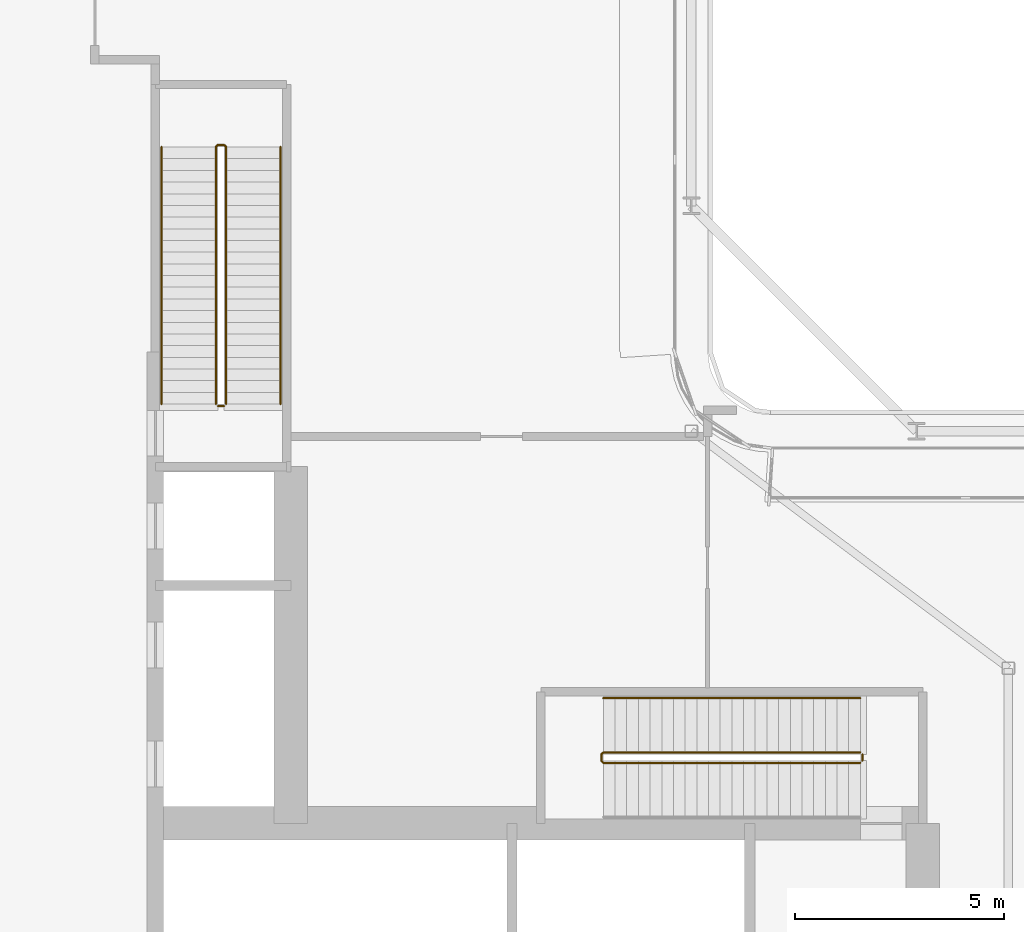
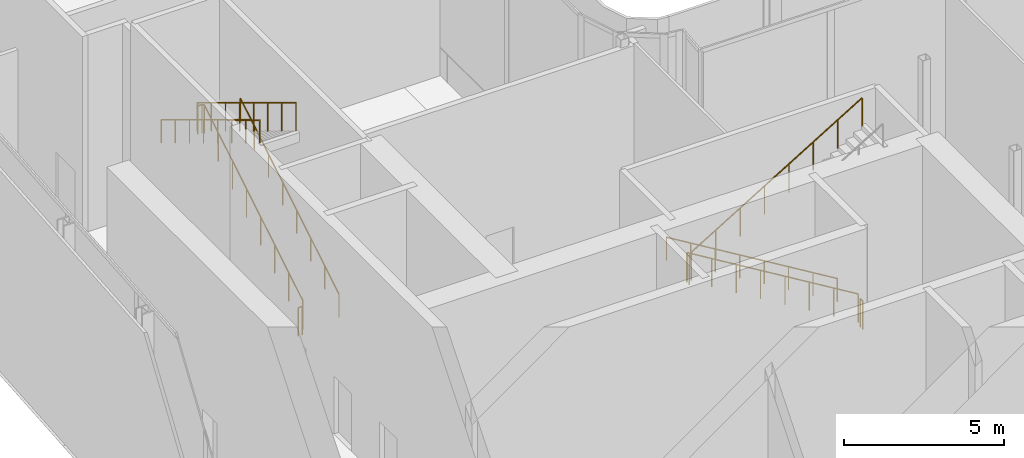
# One storey, part 32 of 37: 7 railings.
"""IFC4 building model written with IfcOpenShell, lengths in metres."""

from ifc_helpers import new_model, si_unit, direction, frame, origin, origin_2d, place, context, subcontext, project, spatial, circle, extrude, material, type_object, element, save


model = new_model("IFC4")

# Units and contexts
model_context = context("Model", 3, precision=1e-05, world=origin(), true_north=direction((0.0, 1.0)))
body_context = subcontext(model_context, "Body", "Model", "MODEL_VIEW")
ifc_project = project(units=[si_unit("LENGTHUNIT", "METRE"), si_unit("AREAUNIT", "SQUARE_METRE"), si_unit("VOLUMEUNIT", "CUBIC_METRE"), si_unit("PLANEANGLEUNIT", "RADIAN"), si_unit("MASSUNIT", "GRAM", prefix="KILO")], contexts=[model_context])

# Site, building, storey
site_placement = place(None, origin())
site = spatial("IfcSite", under=ifc_project, at=site_placement, CompositionType="ELEMENT")
building_placement = place(site_placement, origin())
building = spatial("IfcBuilding", under=site, at=building_placement, Name="Kheshtan School and Residences Tower", CompositionType="ELEMENT")
storey_placement = place(building_placement, frame((0.0, 0.0, 144.800048828125)))
storey = spatial("IfcBuildingStorey", under=building, at=storey_placement, Name="L34", CompositionType="ELEMENT", Elevation=144.800048828125)

# Railings
ifc_material_1 = material(Name="Stainless steel balustrade", Category="steel")
railing_type_1 = type_object("IfcRailingType", Name="Stair guard 1100", PredefinedType="GUARDRAIL", material=ifc_material_1)
railing_1_placement = place(storey_placement, frame((51.64990234375, 37.89990234375, 0.16943359375)))
element("IfcRailing", 1, at=railing_1_placement, inside=storey, type_object=railing_type_1, Name="L34 ST1 stair guard 1", PredefinedType="GUARDRAIL", context=body_context, shape_type="SweptSolid", body=[
    extrude(circle(Radius=0.02392578125, at=origin_2d()), frame((0.0, 0.0, 1.076171875), z_axis=(-0.855370820849, 0.0, 0.518016176234), x_axis=(0.0, -1.0, 0.0)), (0.0, 0.0, 1.0), 7.201416015625),
    extrude(circle(Radius=0.02392578125, at=origin_2d()), frame((-6.159912109375, 0.0, 4.806640625), z_axis=(-0.708833529934, -0.705375805398, 0.0), x_axis=(0.705375805398, -0.708833529934, 0.0)), (0.0, 0.0, 1.0), 0.070556640625),
    extrude(circle(Radius=0.02392578125, at=origin_2d()), frame((-6.2099609375, -0.0498046875, 4.806640625), z_axis=(0.0, -1.0, 0.0), x_axis=(1.0, 0.0, 0.0)), (0.0, 0.0, 1.0), 0.150146484375),
    extrude(circle(Radius=0.02392578125, at=origin_2d()), frame((-6.2099609375, -0.199951171875, 4.806640625), z_axis=(0.272228512635, -0.272228512635, 0.92292105503), x_axis=(0.707106781187, 0.707106781187, 0.0)), (0.0, 0.0, 1.0), 0.183837890625),
    extrude(circle(Radius=0.02392578125, at=origin_2d()), frame((-6.159912109375, -0.25, 4.97607421875), z_axis=(0.855370820849, 0.0, 0.518016176234), x_axis=(0.0, 1.0, 0.0)), (0.0, 0.0, 1.0), 7.201416015625),
    extrude(circle(Radius=0.02099609375, at=origin_2d()), origin(), (0.0, 0.0, 1.0), 1.052001953125),
    extrude(circle(Radius=0.02099609375, at=origin_2d()), frame((-0.8798828125, 0.0, 0.532958984375)), (0.0, 0.0, 1.0), 1.052001953125),
    extrude(circle(Radius=0.02099609375, at=origin_2d()), frame((-1.760009765625, 0.0, 1.06591796875)), (0.0, 0.0, 1.0), 1.052001953125),
    extrude(circle(Radius=0.02099609375, at=origin_2d()), frame((-2.639892578125, 0.0, 1.598876953125)), (0.0, 0.0, 1.0), 1.052001953125),
    extrude(circle(Radius=0.02099609375, at=origin_2d()), frame((-3.52001953125, 0.0, 2.131591796875)), (0.0, 0.0, 1.0), 1.052001953125),
    extrude(circle(Radius=0.02099609375, at=origin_2d()), frame((-4.39990234375, 0.0, 2.66455078125)), (0.0, 0.0, 1.0), 1.052001953125),
    extrude(circle(Radius=0.02099609375, at=origin_2d()), frame((-5.280029296875, 0.0, 3.197509765625)), (0.0, 0.0, 1.0), 1.052001953125),
    extrude(circle(Radius=0.02099609375, at=origin_2d()), frame((-6.159912109375, 0.0, 3.73046875)), (0.0, 0.0, 1.0), 1.052001953125),
    extrude(circle(Radius=0.02099609375, at=origin_2d()), frame((-6.2099609375, -0.0498046875, 3.73046875)), (0.0, 0.0, 1.0), 1.052001953125),
    extrude(circle(Radius=0.02099609375, at=origin_2d()), frame((-6.2099609375, -0.199951171875, 3.73046875)), (0.0, 0.0, 1.0), 1.052001953125),
    extrude(circle(Radius=0.02099609375, at=origin_2d()), frame((-6.159912109375, -0.25, 3.900146484375)), (0.0, 0.0, 1.0), 1.052001953125),
    extrude(circle(Radius=0.02099609375, at=origin_2d()), frame((-5.280029296875, -0.25, 4.43310546875)), (0.0, 0.0, 1.0), 1.052001953125),
    extrude(circle(Radius=0.02099609375, at=origin_2d()), frame((-4.39990234375, -0.25, 4.966064453125)), (0.0, 0.0, 1.0), 1.052001953125),
    extrude(circle(Radius=0.02099609375, at=origin_2d()), frame((-3.52001953125, -0.25, 5.4990234375)), (0.0, 0.0, 1.0), 1.052001953125),
    extrude(circle(Radius=0.02099609375, at=origin_2d()), frame((-2.639892578125, -0.25, 6.03173828125)), (0.0, 0.0, 1.0), 1.052001953125),
    extrude(circle(Radius=0.02099609375, at=origin_2d()), frame((-1.760009765625, -0.25, 6.564697265625)), (0.0, 0.0, 1.0), 1.052001953125),
    extrude(circle(Radius=0.02099609375, at=origin_2d()), frame((-0.8798828125, -0.25, 7.09765625)), (0.0, 0.0, 1.0), 1.052001953125),
    extrude(circle(Radius=0.02099609375, at=origin_2d()), frame((0.0, -0.25, 7.630615234375)), (0.0, 0.0, 1.0), 1.052001953125),
])
railing_2_placement = place(storey_placement, frame((51.699951171875, 37.85009765625, 0.0)))
element("IfcRailing", 2, at=railing_2_placement, inside=storey, type_object=railing_type_1, Name="L34 ST1 stair guard 2", PredefinedType="GUARDRAIL", context=body_context, shape_type="SweptSolid", body=[
    extrude(circle(Radius=0.02392578125, at=origin_2d()), frame((0.0, 0.0, 1.076171875), z_axis=(0.0, -1.0, 0.0), x_axis=(1.0, 0.0, 0.0)), (0.0, 0.0, 1.0), 0.150146484375),
    extrude(circle(Radius=0.02099609375, at=origin_2d()), origin(), (0.0, 0.0, 1.0), 1.052001953125),
    extrude(circle(Radius=0.02099609375, at=origin_2d()), frame((0.0, -0.150146484375, 0.0)), (0.0, 0.0, 1.0), 1.052001953125),
])
railing_3_placement = place(storey_placement, frame((36.449951171875, 46.25, 0.16943359375)))
element("IfcRailing", 3, at=railing_3_placement, inside=storey, type_object=railing_type_1, Name="L34 ST2 stair guard 1", PredefinedType="GUARDRAIL", context=body_context, shape_type="SweptSolid", body=[
    extrude(circle(Radius=0.02392578125, at=origin_2d()), frame((0.0, 0.0, 1.076171875), z_axis=(0.0, 0.855370820849, 0.518016176234), x_axis=(-1.0, 0.0, 0.0)), (0.0, 0.0, 1.0), 7.201416015625),
    extrude(circle(Radius=0.02392578125, at=origin_2d()), frame((0.0, 6.159912109375, 4.806640625), z_axis=(-0.707106781187, 0.707106781187, 0.0), x_axis=(-0.707106781187, -0.707106781187, 0.0)), (0.0, 0.0, 1.0), 0.07080078125),
    extrude(circle(Radius=0.02392578125, at=origin_2d()), frame((-0.050048828125, 6.2099609375, 4.806640625), z_axis=(-1.0, 0.0, 0.0), x_axis=(0.0, -1.0, 0.0)), (0.0, 0.0, 1.0), 0.14990234375),
    extrude(circle(Radius=0.02392578125, at=origin_2d()), frame((-0.199951171875, 6.2099609375, 4.806640625), z_axis=(-0.272228512635, -0.272228512635, 0.92292105503), x_axis=(0.707106781187, -0.707106781187, 0.0)), (0.0, 0.0, 1.0), 0.183837890625),
    extrude(circle(Radius=0.02392578125, at=origin_2d()), frame((-0.25, 6.159912109375, 4.97607421875), z_axis=(0.0, -0.855370820849, 0.518016176234), x_axis=(1.0, 0.0, 0.0)), (0.0, 0.0, 1.0), 7.201416015625),
    extrude(circle(Radius=0.02099609375, at=origin_2d()), origin(), (0.0, 0.0, 1.0), 1.052001953125),
    extrude(circle(Radius=0.02099609375, at=origin_2d()), frame((0.0, 0.8798828125, 0.532958984375)), (0.0, 0.0, 1.0), 1.052001953125),
    extrude(circle(Radius=0.02099609375, at=origin_2d()), frame((0.0, 1.760009765625, 1.06591796875)), (0.0, 0.0, 1.0), 1.052001953125),
    extrude(circle(Radius=0.02099609375, at=origin_2d()), frame((0.0, 2.639892578125, 1.598876953125)), (0.0, 0.0, 1.0), 1.052001953125),
    extrude(circle(Radius=0.02099609375, at=origin_2d()), frame((0.0, 3.52001953125, 2.131591796875)), (0.0, 0.0, 1.0), 1.052001953125),
    extrude(circle(Radius=0.02099609375, at=origin_2d()), frame((0.0, 4.39990234375, 2.66455078125)), (0.0, 0.0, 1.0), 1.052001953125),
    extrude(circle(Radius=0.02099609375, at=origin_2d()), frame((0.0, 5.280029296875, 3.197509765625)), (0.0, 0.0, 1.0), 1.052001953125),
    extrude(circle(Radius=0.02099609375, at=origin_2d()), frame((0.0, 6.159912109375, 3.73046875)), (0.0, 0.0, 1.0), 1.052001953125),
    extrude(circle(Radius=0.02099609375, at=origin_2d()), frame((-0.050048828125, 6.2099609375, 3.73046875)), (0.0, 0.0, 1.0), 1.052001953125),
    extrude(circle(Radius=0.02099609375, at=origin_2d()), frame((-0.199951171875, 6.2099609375, 3.73046875)), (0.0, 0.0, 1.0), 1.052001953125),
    extrude(circle(Radius=0.02099609375, at=origin_2d()), frame((-0.25, 6.159912109375, 3.900146484375)), (0.0, 0.0, 1.0), 1.052001953125),
    extrude(circle(Radius=0.02099609375, at=origin_2d()), frame((-0.25, 5.280029296875, 4.43310546875)), (0.0, 0.0, 1.0), 1.052001953125),
    extrude(circle(Radius=0.02099609375, at=origin_2d()), frame((-0.25, 4.39990234375, 4.966064453125)), (0.0, 0.0, 1.0), 1.052001953125),
    extrude(circle(Radius=0.02099609375, at=origin_2d()), frame((-0.25, 3.52001953125, 5.4990234375)), (0.0, 0.0, 1.0), 1.052001953125),
    extrude(circle(Radius=0.02099609375, at=origin_2d()), frame((-0.25, 2.639892578125, 6.03173828125)), (0.0, 0.0, 1.0), 1.052001953125),
    extrude(circle(Radius=0.02099609375, at=origin_2d()), frame((-0.25, 1.760009765625, 6.564697265625)), (0.0, 0.0, 1.0), 1.052001953125),
    extrude(circle(Radius=0.02099609375, at=origin_2d()), frame((-0.25, 0.8798828125, 7.09765625)), (0.0, 0.0, 1.0), 1.052001953125),
    extrude(circle(Radius=0.02099609375, at=origin_2d()), frame((-0.25, 0.0, 7.630615234375)), (0.0, 0.0, 1.0), 1.052001953125),
])
railing_4_placement = place(storey_placement, frame((36.39990234375, 46.199951171875, 0.0)))
element("IfcRailing", 4, at=railing_4_placement, inside=storey, type_object=railing_type_1, Name="L34 ST2 stair guard 2", PredefinedType="GUARDRAIL", context=body_context, shape_type="SweptSolid", body=[
    extrude(circle(Radius=0.02392578125, at=origin_2d()), frame((0.0, 0.0, 1.076171875), z_axis=(-1.0, 0.0, 0.0), x_axis=(0.0, -1.0, 0.0)), (0.0, 0.0, 1.0), 0.14990234375),
    extrude(circle(Radius=0.02099609375, at=origin_2d()), origin(), (0.0, 0.0, 1.0), 1.052001953125),
    extrude(circle(Radius=0.02099609375, at=origin_2d()), frame((-0.14990234375, 0.0, 0.0)), (0.0, 0.0, 1.0), 1.052001953125),
])
ifc_material_2 = material(Name="Stainless steel handrail", Category="steel")
railing_type_2 = type_object("IfcRailingType", Name="Stair handrail 900", PredefinedType="HANDRAIL", material=ifc_material_2)
railing_5_placement = place(storey_placement, frame((51.64990234375, 39.199951171875, 0.16943359375)))
element("IfcRailing", 5, at=railing_5_placement, inside=storey, type_object=railing_type_2, Name="L34 ST1 stair handrail 1", PredefinedType="HANDRAIL", context=body_context, shape_type="SweptSolid", body=[
    extrude(circle(Radius=0.02392578125, at=origin_2d()), frame((0.0, 0.0, 0.8759765625), z_axis=(-0.855370820849, 0.0, 0.518016176234), x_axis=(0.0, -1.0, 0.0)), (0.0, 0.0, 1.0), 7.201416015625),
    extrude(circle(Radius=0.02099609375, at=origin_2d()), origin(), (0.0, 0.0, 1.0), 0.851806640625),
    extrude(circle(Radius=0.02099609375, at=origin_2d()), frame((-0.8798828125, 0.0, 0.532958984375)), (0.0, 0.0, 1.0), 0.851806640625),
    extrude(circle(Radius=0.02099609375, at=origin_2d()), frame((-1.760009765625, 0.0, 1.06591796875)), (0.0, 0.0, 1.0), 0.851806640625),
    extrude(circle(Radius=0.02099609375, at=origin_2d()), frame((-2.639892578125, 0.0, 1.598876953125)), (0.0, 0.0, 1.0), 0.851806640625),
    extrude(circle(Radius=0.02099609375, at=origin_2d()), frame((-3.52001953125, 0.0, 2.131591796875)), (0.0, 0.0, 1.0), 0.851806640625),
    extrude(circle(Radius=0.02099609375, at=origin_2d()), frame((-4.39990234375, 0.0, 2.66455078125)), (0.0, 0.0, 1.0), 0.851806640625),
    extrude(circle(Radius=0.02099609375, at=origin_2d()), frame((-5.280029296875, 0.0, 3.197509765625)), (0.0, 0.0, 1.0), 0.851806640625),
    extrude(circle(Radius=0.02099609375, at=origin_2d()), frame((-6.159912109375, 0.0, 3.73046875)), (0.0, 0.0, 1.0), 0.851806640625),
])
railing_6_placement = place(storey_placement, frame((37.75, 46.25, 0.16943359375)))
element("IfcRailing", 6, at=railing_6_placement, inside=storey, type_object=railing_type_2, Name="L34 ST2 stair handrail 1", PredefinedType="HANDRAIL", context=body_context, shape_type="SweptSolid", body=[
    extrude(circle(Radius=0.02392578125, at=origin_2d()), frame((0.0, 0.0, 0.8759765625), z_axis=(0.0, 0.855370820849, 0.518016176234), x_axis=(-1.0, 0.0, 0.0)), (0.0, 0.0, 1.0), 7.201416015625),
    extrude(circle(Radius=0.02099609375, at=origin_2d()), origin(), (0.0, 0.0, 1.0), 0.851806640625),
    extrude(circle(Radius=0.02099609375, at=origin_2d()), frame((0.0, 0.8798828125, 0.532958984375)), (0.0, 0.0, 1.0), 0.851806640625),
    extrude(circle(Radius=0.02099609375, at=origin_2d()), frame((0.0, 1.760009765625, 1.06591796875)), (0.0, 0.0, 1.0), 0.851806640625),
    extrude(circle(Radius=0.02099609375, at=origin_2d()), frame((0.0, 2.639892578125, 1.598876953125)), (0.0, 0.0, 1.0), 0.851806640625),
    extrude(circle(Radius=0.02099609375, at=origin_2d()), frame((0.0, 3.52001953125, 2.131591796875)), (0.0, 0.0, 1.0), 0.851806640625),
    extrude(circle(Radius=0.02099609375, at=origin_2d()), frame((0.0, 4.39990234375, 2.66455078125)), (0.0, 0.0, 1.0), 0.851806640625),
    extrude(circle(Radius=0.02099609375, at=origin_2d()), frame((0.0, 5.280029296875, 3.197509765625)), (0.0, 0.0, 1.0), 0.851806640625),
    extrude(circle(Radius=0.02099609375, at=origin_2d()), frame((0.0, 6.159912109375, 3.73046875)), (0.0, 0.0, 1.0), 0.851806640625),
])
railing_7_placement = place(storey_placement, frame((34.89990234375, 52.409912109375, 4.069580078125)))
element("IfcRailing", 7, at=railing_7_placement, inside=storey, type_object=railing_type_2, Name="L34 ST2 stair handrail 2", PredefinedType="HANDRAIL", context=body_context, shape_type="SweptSolid", body=[
    extrude(circle(Radius=0.02392578125, at=origin_2d()), frame((0.0, 0.0, 0.8759765625), z_axis=(0.0, -0.855370820849, 0.518016176234), x_axis=(1.0, 0.0, 0.0)), (0.0, 0.0, 1.0), 7.201416015625),
    extrude(circle(Radius=0.02099609375, at=origin_2d()), origin(), (0.0, 0.0, 1.0), 0.851806640625),
    extrude(circle(Radius=0.02099609375, at=origin_2d()), frame((0.0, -0.8798828125, 0.532958984375)), (0.0, 0.0, 1.0), 0.851806640625),
    extrude(circle(Radius=0.02099609375, at=origin_2d()), frame((0.0, -1.760009765625, 1.06591796875)), (0.0, 0.0, 1.0), 0.851806640625),
    extrude(circle(Radius=0.02099609375, at=origin_2d()), frame((0.0, -2.639892578125, 1.598876953125)), (0.0, 0.0, 1.0), 0.851806640625),
    extrude(circle(Radius=0.02099609375, at=origin_2d()), frame((0.0, -3.52001953125, 2.131591796875)), (0.0, 0.0, 1.0), 0.851806640625),
    extrude(circle(Radius=0.02099609375, at=origin_2d()), frame((0.0, -4.39990234375, 2.66455078125)), (0.0, 0.0, 1.0), 0.851806640625),
    extrude(circle(Radius=0.02099609375, at=origin_2d()), frame((0.0, -5.280029296875, 3.197509765625)), (0.0, 0.0, 1.0), 0.851806640625),
    extrude(circle(Radius=0.02099609375, at=origin_2d()), frame((0.0, -6.159912109375, 3.73046875)), (0.0, 0.0, 1.0), 0.851806640625),
])

save(model, "model.ifc")
